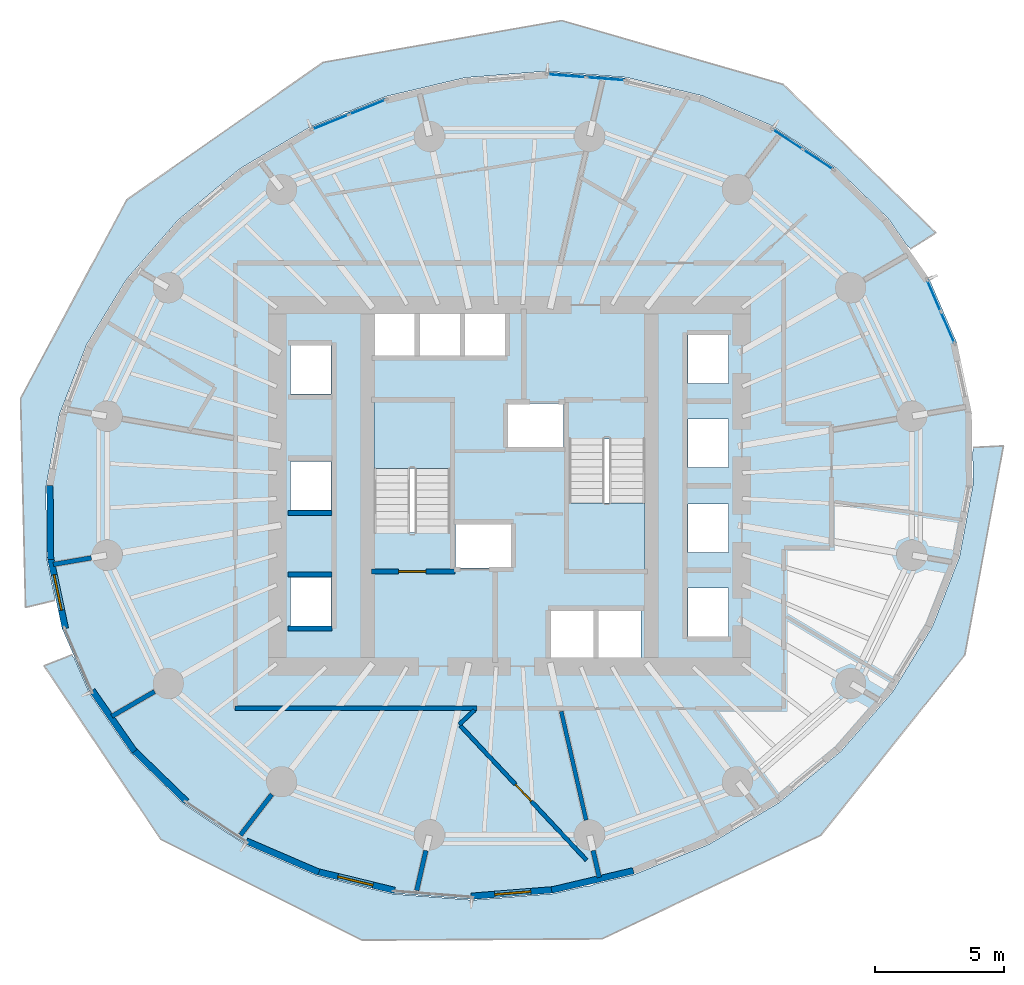
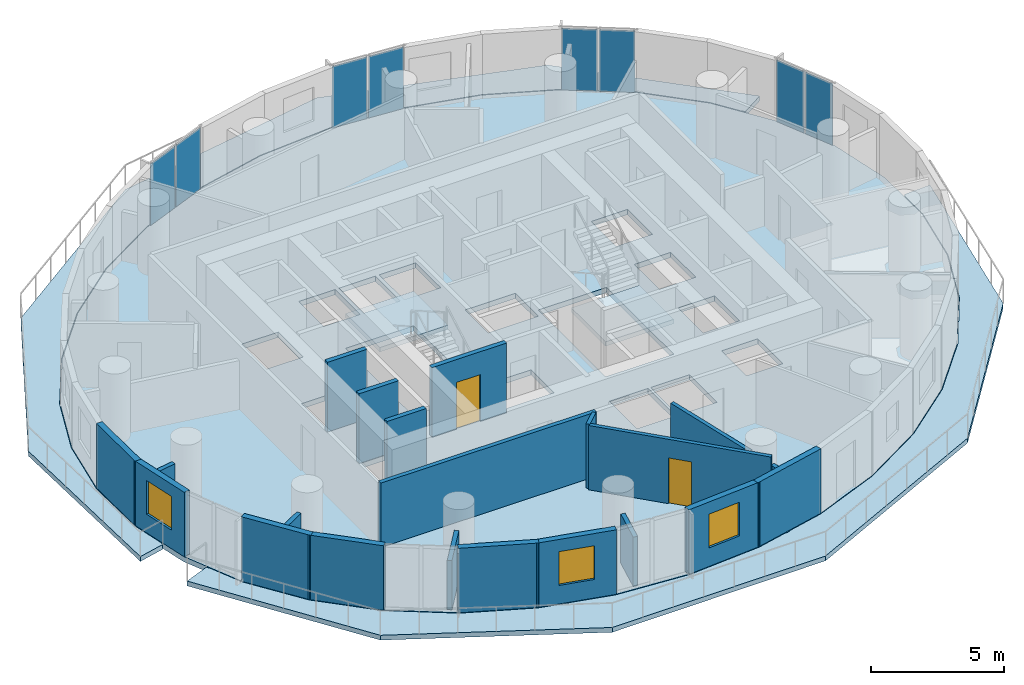
# One storey, part 6 of 14: 21 walls, 8 plates, 5 slabs, 3 windows, 2 doors, 5 openings, 6 elements without a shape of their own.
"""IFC4 building model written with IfcOpenShell, lengths in metres."""

import ifcopenshell
import ifcopenshell.guid

model = None  # the IFC model being written
_history = None  # IfcOwnerHistory: only IFC2X3 demands one
_inside = {}  # id of a spatial element -> (the spatial element, [elements in it])
_under = {}  # id of a project, library or spatial element -> (it, [spatial elements below it])
_declared = {}  # id of a project -> (the project, [libraries it declares])
_typed = {}  # id of a type object -> (the type object, [elements of that type])
_made_of = {}  # id of a material, layer set ... -> (it, [elements and type objects made of it])


def new_model(schema):
    """Start an empty IFC model of exactly this schema.

    Asked for "IFC4X3", IfcOpenShell would pick the latest addendum, in which some entities
    have other attributes; the version numbers below select the first issue.
    IFC2X3 requires an IfcOwnerHistory on every rooted entity: one is made here for all.
    """
    global model, _history
    if schema == "IFC4X3":
        model = ifcopenshell.file(schema_version=(4, 3, 0, 0))
    else:
        model = ifcopenshell.file(schema=schema)
    _inside.clear()
    _under.clear()
    _declared.clear()
    _typed.clear()
    _made_of.clear()
    _history = None
    if model.schema == "IFC2X3":
        org = make("IfcOrganization", Name="unknown")
        user = make(
            "IfcPersonAndOrganization",
            ThePerson=make("IfcPerson", FamilyName="unknown"),
            TheOrganization=org,
        )
        app = make(
            "IfcApplication",
            ApplicationDeveloper=org,
            Version="unknown",
            ApplicationFullName="unknown",
            ApplicationIdentifier="unknown",
        )
        _history = make(
            "IfcOwnerHistory",
            OwningUser=user,
            OwningApplication=app,
            ChangeAction="ADDED",
            CreationDate=0,
        )
    return model


def make(cls, **values):
    """One entity of the class cls with the attributes given. An attribute that is None is left unset."""
    return model.create_entity(
        cls, **{name: value for name, value in values.items() if value is not None}
    )


def rooted(cls, **values):
    """An entity with a GlobalId (a new one), such as an element, a storey or a relation."""
    return make(cls, GlobalId=ifcopenshell.guid.new(), OwnerHistory=_history, **values)


def si_unit(unit_type, name, prefix=None):
    """IfcSIUnit, for example si_unit("LENGTHUNIT", "METRE", prefix="MILLI")."""
    return make("IfcSIUnit", UnitType=unit_type, Prefix=prefix, Name=name)


def assignment(units):
    """IfcUnitAssignment: the units of a project."""
    return None if units is None else make("IfcUnitAssignment", Units=units)


def point(xyz):
    """IfcCartesianPoint."""
    return None if xyz is None else make("IfcCartesianPoint", Coordinates=xyz)


def direction(xyz):
    """IfcDirection."""
    return None if xyz is None else make("IfcDirection", DirectionRatios=xyz)


def frame(location, z_axis=None, x_axis=None):
    """IfcAxis2Placement3D, a coordinate frame: its origin and axes. An axis left out is left unset."""
    return make(
        "IfcAxis2Placement3D",
        Location=point(location),
        Axis=direction(z_axis),
        RefDirection=direction(x_axis),
    )


def frame_2d(location, x_axis=None):
    """IfcAxis2Placement2D, a coordinate frame in the plane: its origin and x axis."""
    return make(
        "IfcAxis2Placement2D", Location=point(location), RefDirection=direction(x_axis)
    )


def origin():
    """The frame at (0, 0, 0) with its axes left unset."""
    return frame((0.0, 0.0, 0.0))


def origin_2d():
    """The frame at (0, 0) in the plane with its x axis left unset."""
    return frame_2d((0.0, 0.0))


def place(relative_to, where):
    """IfcLocalPlacement: puts the frame where relative to a parent placement (None: the world)."""
    return make(
        "IfcLocalPlacement", PlacementRelTo=relative_to, RelativePlacement=where
    )


def context(
    kind, dimensions, precision=None, world=None, true_north=None, identifier=None
):
    """IfcGeometricRepresentationContext, for example the 3D "Model" context."""
    return make(
        "IfcGeometricRepresentationContext",
        ContextIdentifier=identifier,
        ContextType=kind,
        CoordinateSpaceDimension=dimensions,
        Precision=precision,
        WorldCoordinateSystem=world,
        TrueNorth=true_north,
    )


def subcontext(parent, identifier, kind, view, scale=None):
    """IfcGeometricRepresentationSubContext, for example "Body" below "Model"."""
    return make(
        "IfcGeometricRepresentationSubContext",
        ContextIdentifier=identifier,
        ContextType=kind,
        ParentContext=parent,
        TargetScale=scale,
        TargetView=view,
    )


def project(units=None, contexts=None):
    """IfcProject with its units and contexts."""
    return rooted(
        "IfcProject",
        Name="project",
        RepresentationContexts=contexts,
        UnitsInContext=assignment(units),
    )


def spatial(cls, under=None, at=None, **own):
    """A site, building, storey or space (cls), placed at a placement, below another one or the project."""
    s = rooted(cls, ObjectPlacement=at, **own)
    if under is not None:
        _under.setdefault(under.id(), (under, []))[1].append(s)
    return s


def polyline(points):
    """IfcPolyline through the points."""
    return make("IfcPolyline", Points=[point(p) for p in points])


def profile(cls, at=None, kind="AREA", **sizes):
    """A parametric profile (cls). Its sizes go by their IFC names, for example OverallWidth=200.0."""
    return make(cls, ProfileType=kind, Position=at, **sizes)


def rectangle(**sizes):
    """IfcRectangleProfileDef."""
    return profile("IfcRectangleProfileDef", **sizes)


def outline(outer, holes=None, kind="AREA"):
    """IfcArbitraryClosedProfileDef: a profile drawn as a closed curve; with holes, ...WithVoids."""
    if holes is None:
        return make("IfcArbitraryClosedProfileDef", ProfileType=kind, OuterCurve=outer)
    return make(
        "IfcArbitraryProfileDefWithVoids",
        ProfileType=kind,
        OuterCurve=outer,
        InnerCurves=holes,
    )


def extrude(swept, where, along, depth):
    """IfcExtrudedAreaSolid: the profile swept, set in the frame where, extruded along a direction by depth."""
    return make(
        "IfcExtrudedAreaSolid",
        SweptArea=swept,
        Position=where,
        ExtrudedDirection=direction(along),
        Depth=depth,
    )


def shape(context_of_items, identifier, shape_type, items):
    """IfcShapeRepresentation: the items that make up one representation, for example the "Body"."""
    return make(
        "IfcShapeRepresentation",
        ContextOfItems=context_of_items,
        RepresentationIdentifier=identifier,
        RepresentationType=shape_type,
        Items=items,
    )


def material(Name=None, Category=None):
    """IfcMaterial."""
    return make("IfcMaterial", Name=Name, Category=Category)


def layer(
    of_material, thickness, ventilated=None, Name=None, Category=None, Priority=None
):
    """IfcMaterialLayer: one layer of a wall or slab, of a material (None: an air gap)."""
    return make(
        "IfcMaterialLayer",
        Material=of_material,
        LayerThickness=thickness,
        IsVentilated=ventilated,
        Name=Name,
        Category=Category,
        Priority=Priority,
    )


def layer_set(layers, Name=None):
    """IfcMaterialLayerSet."""
    return make("IfcMaterialLayerSet", MaterialLayers=layers, LayerSetName=Name)


def made_of(thing, what):
    """Note that an element or type object is made of a material, layer set ...; save() writes the relation."""
    if what is not None:
        _made_of.setdefault(what.id(), (what, []))[1].append(thing)
    return thing


def type_object(cls, material=None, **own):
    """A type object (cls), such as IfcWallType, which elements share."""
    return made_of(rooted(cls, **own), material)


def element(
    cls,
    number,
    at=None,
    inside=None,
    cuts=None,
    type_object=None,
    material=None,
    context=None,
    identifier="Body",
    shape_type=None,
    held_by="IfcProductDefinitionShape",
    body=None,
    shapes=None,
    **own,
):
    """One element of the class cls, such as IfcWall. Its Tag is "e" and its number.

    at: its placement. inside: the storey or other place that contains it. cuts: it is an
    opening in that element (IfcRelVoidsElement). A single representation is given by context,
    identifier, shape_type and body (its items); several are given by shapes. held_by: the class
    of the entity that holds the representations. save() writes the other relations.
    """
    e = rooted(cls, Tag="e%d" % number, ObjectPlacement=at, **own)
    if body is not None:
        shapes = [shape(context, identifier, shape_type, body)]
    if shapes is not None:
        e.Representation = make(held_by, Representations=shapes)
    if inside is not None:
        _inside.setdefault(inside.id(), (inside, []))[1].append(e)
    if cuts is not None:
        rooted(
            "IfcRelVoidsElement", RelatingBuildingElement=cuts, RelatedOpeningElement=e
        )
    if type_object is not None:
        _typed.setdefault(type_object.id(), (type_object, []))[1].append(e)
    return made_of(e, material)


def fill(opening, filler):
    """IfcRelFillsElement: the door or window that sits in an opening."""
    return rooted(
        "IfcRelFillsElement",
        RelatingOpeningElement=opening,
        RelatedBuildingElement=filler,
    )


def aggregate(whole, parts):
    """IfcRelAggregates: a whole, such as a stair, and the parts it consists of."""
    return rooted("IfcRelAggregates", RelatingObject=whole, RelatedObjects=parts)


def save(model, path):
    """Write the relations noted so far, then the file.

    IfcRelAggregates (storeys below a building ...), IfcRelContainedInSpatialStructure (elements
    in a storey), IfcRelDefinesByType, IfcRelAssociatesMaterial and IfcRelDeclares: one each for
    every whole, place, type object, material and project.
    """
    for whole, parts in _under.values():
        aggregate(whole, parts)
    for where, things in _inside.values():
        rooted(
            "IfcRelContainedInSpatialStructure",
            RelatedElements=things,
            RelatingStructure=where,
        )
    for kind, things in _typed.values():
        rooted("IfcRelDefinesByType", RelatedObjects=things, RelatingType=kind)
    for what, things in _made_of.values():
        rooted("IfcRelAssociatesMaterial", RelatedObjects=things, RelatingMaterial=what)
    for by, libraries in _declared.values():
        rooted("IfcRelDeclares", RelatingContext=by, RelatedDefinitions=libraries)
    model.write(path)


model = new_model("IFC4")

# Units and contexts
model_context = context("Model", 3, precision=1e-05, world=origin(), true_north=direction((0.0, 1.0)))
body_context = subcontext(model_context, "Body", "Model", "MODEL_VIEW")
ifc_project = project(units=[si_unit("LENGTHUNIT", "METRE"), si_unit("AREAUNIT", "SQUARE_METRE"), si_unit("VOLUMEUNIT", "CUBIC_METRE"), si_unit("PLANEANGLEUNIT", "RADIAN"), si_unit("MASSUNIT", "GRAM", prefix="KILO")], contexts=[model_context])

# Site, building, storey
site_placement = place(None, origin())
site = spatial("IfcSite", under=ifc_project, at=site_placement, CompositionType="ELEMENT")
building_placement = place(site_placement, origin())
building = spatial("IfcBuilding", under=site, at=building_placement, Name="Veldorim Arch Residences", CompositionType="ELEMENT")
storey_placement = place(building_placement, frame((0.0, 0.0, 74.080078125)))
storey = spatial("IfcBuildingStorey", under=building, at=storey_placement, Name="L21", CompositionType="ELEMENT", Elevation=74.080078125)

# Slabs
ifc_material_1 = material(Name="Concrete C40/50", Category="concrete")
ifc_layer_1 = layer(ifc_material_1, 0.219970703125, Name="Planted Crescent Cantilever Balcony Slab 220")
ifc_layer_set_1 = layer_set([ifc_layer_1], Name="Concrete C40/50")
slab_type_1 = type_object("IfcSlabType", Name="Planted Crescent Cantilever Balcony Slab 220", PredefinedType="FLOOR", material=ifc_layer_set_1)
slab_1_placement = place(storey_placement, frame((0.0, 0.0, -0.219970703125)))
element("IfcSlab", 1, at=slab_1_placement, inside=storey, type_object=slab_type_1, Name="L21 planted crescent balcony slab A", PredefinedType="FLOOR", context=body_context, shape_type="SweptSolid", body=[
    extrude(outline(polyline([(47.413818359375, 33.292236328125), (46.6796875, 34.348876953125), (44.642333984375, 36.324462890625), (42.220703125, 37.925537109375), (39.489013671875, 39.103271484375), (36.529541015625, 39.822265625), (33.432861328125, 40.060302734375), (30.292724609375, 39.810791015625), (27.204345703125, 39.0810546875), (25.777099609375, 38.5048828125), (25.603271484375, 38.47216796875), (25.46630859375, 38.37939453125), (24.261962890625, 37.89306640625), (21.55419921875, 36.283203125), (19.163818359375, 34.300048828125), (17.163330078125, 32.004150390625), (15.61328125, 29.464599609375), (14.561279296875, 26.759033203125), (14.039306640625, 23.969482421875), (14.06298828125, 21.180419921875), (14.369384765625, 19.72412109375), (14.36279296875, 19.554443359375), (13.2451171875, 19.28369140625), (13.0537109375, 27.373046875), (17.167236328125, 35.07666015625), (24.781494140625, 40.40478515625), (34.025634765625, 42.0234375), (42.614013671875, 39.547119140625), (48.51513671875, 33.797119140625), (47.544677734375, 33.18017578125), (47.413818359375, 33.292236328125)])), origin(), (0.0, 0.0, 1.0), 0.219970703125),
])
slab_2_placement = place(storey_placement, frame((0.0, 0.0, -0.219970703125)))
element("IfcSlab", 2, at=slab_2_placement, inside=storey, type_object=slab_type_1, Name="L21 planted crescent balcony slab B", PredefinedType="FLOOR", context=body_context, shape_type="SweptSolid", body=[
    extrude(outline(polyline([(15.137939453125, 17.307373046875), (15.728759765625, 15.941650390625), (17.3203125, 13.651123046875), (19.357666015625, 11.675537109375), (21.779296875, 10.074462890625), (24.510986328125, 8.896728515625), (27.470458984375, 8.177734375), (30.567138671875, 7.939697265625), (33.707275390625, 8.189208984375), (34.971435546875, 8.488037109375), (35.13671875, 8.4912109375), (35.297607421875, 8.56494140625), (36.795654296875, 8.9189453125), (39.738037109375, 10.10693359375), (42.44580078125, 11.716796875), (44.836181640625, 13.699951171875), (46.836669921875, 15.995849609375), (48.38671875, 18.535400390625), (49.438720703125, 21.240966796875), (49.960693359375, 24.030517578125), (49.949951171875, 25.316650390625), (49.991943359375, 25.48388671875), (51.140380859375, 25.540771484375), (49.64404296875, 17.438720703125), (44.0634765625, 10.456787109375), (35.582275390625, 6.43896484375), (26.2890625, 6.390869140625), (18.4814453125, 10.303466796875), (13.965576171875, 17.017578125), (15.0341796875, 17.442138671875), (15.137939453125, 17.307373046875)])), origin(), (0.0, 0.0, 1.0), 0.219970703125),
])

# Stair, slab
ifc_material_2 = material(Name="Concrete C40/50", Category="concrete")
stair_type = type_object("IfcStairType", Name="Reinforced Concrete Dogleg Exit Staircase", PredefinedType="HALF_TURN_STAIR", material=ifc_material_2)
stair_1_placement = place(storey_placement, origin())
stair_1 = element("IfcStair", 3, at=stair_1_placement, inside=storey, type_object=stair_type, Name="L21 Exit Staircase ST-1", PredefinedType="HALF_TURN_STAIR")
ifc_material_3 = material(Name="Concrete C40/50", Category="concrete")
ifc_layer_2 = layer(ifc_material_3, 0.199951171875, Name="Reinforced Concrete Stair Landing 200")
ifc_layer_set_2 = layer_set([ifc_layer_2], Name="Concrete C40/50")
slab_type_2 = type_object("IfcSlabType", Name="Reinforced Concrete Stair Landing 200", PredefinedType="LANDING", material=ifc_layer_set_2)
slab_3_placement = place(storey_placement, frame((0.0, 0.0, 1.39990234375)))
slab_3 = element("IfcSlab", 4, at=slab_3_placement, type_object=slab_type_2, Name="ST-1 landing 1", PredefinedType="LANDING", context=body_context, shape_type="SweptSolid", body=[
    extrude(outline(polyline([(29.7099609375, 24.669921875), (29.7099609375, 27.25), (26.75, 27.25), (26.75, 24.669921875), (29.7099609375, 24.669921875)])), origin(), (0.0, 0.0, 1.0), 0.199951171875),
])
aggregate(stair_1, [slab_3])

stair_2_placement = place(storey_placement, origin())
stair_2 = element("IfcStair", 5, at=stair_2_placement, inside=storey, type_object=stair_type, Name="L21 Exit Staircase ST-2", PredefinedType="HALF_TURN_STAIR")
slab_4_placement = place(storey_placement, frame((0.0, 0.0, 1.39990234375)))
slab_4 = element("IfcSlab", 6, at=slab_4_placement, type_object=slab_type_2, Name="ST-2 landing 1", PredefinedType="LANDING", context=body_context, shape_type="SweptSolid", body=[
    extrude(outline(polyline([(34.2900390625, 23.330078125), (34.2900390625, 20.75), (37.25, 20.75), (37.25, 23.330078125), (34.2900390625, 23.330078125)])), origin(), (0.0, 0.0, 1.0), 0.199951171875),
])
aggregate(stair_2, [slab_4])

# Slab
ifc_material_4 = material(Name="Concrete C40/50", Category="concrete")
ifc_layer_3 = layer(ifc_material_4, 0.239990234375, Name="Typical Residential Floor Slab 240")
ifc_layer_set_3 = layer_set([ifc_layer_3], Name="Concrete C40/50")
slab_type_3 = type_object("IfcSlabType", Name="Typical Residential Floor Slab 240", PredefinedType="FLOOR", material=ifc_layer_set_3)
slab_5_placement = place(storey_placement, frame((0.0, 0.0, -0.239990234375)))
element("IfcSlab", 7, at=slab_5_placement, inside=storey, type_object=slab_type_3, Name="L21 tower structural floor slab", PredefinedType="FLOOR", context=body_context, shape_type="SweptSolid", body=[
    extrude(outline(polyline([(49.34423828125, 29.51513671875), (48.249267578125, 32.046142578125), (46.66064453125, 34.33251953125), (44.626708984375, 36.304931640625), (42.208740234375, 37.9033203125), (39.48095703125, 39.07958984375), (36.525634765625, 39.79736328125), (33.432861328125, 40.035400390625), (30.296630859375, 39.785888671875), (27.2119140625, 39.05712890625), (24.27294921875, 37.87060546875), (21.568603515625, 36.2626953125), (19.181396484375, 34.2822265625), (17.18359375, 31.9892578125), (15.635986328125, 29.45361328125), (14.58544921875, 26.752197265625), (14.064208984375, 23.96728515625), (14.087890625, 21.18310546875), (14.65576171875, 18.48486328125), (15.750732421875, 15.953857421875), (17.33935546875, 13.66748046875), (19.373291015625, 11.695068359375), (21.791259765625, 10.0966796875), (24.51904296875, 8.92041015625), (27.474365234375, 8.20263671875), (30.567138671875, 7.964599609375), (33.703369140625, 8.214111328125), (36.7880859375, 8.94287109375), (39.72705078125, 10.12939453125), (42.431396484375, 11.7373046875), (44.818603515625, 13.7177734375), (46.81640625, 16.0107421875), (48.364013671875, 18.54638671875), (49.41455078125, 21.247802734375), (49.935791015625, 24.03271484375), (49.912109375, 26.81689453125), (49.34423828125, 29.51513671875)]), holes=[polyline([(23.510009765625, 20.43994140625), (25.090087890625, 20.43994140625), (25.090087890625, 18.56005859375), (23.510009765625, 18.56005859375), (23.510009765625, 20.43994140625)]), polyline([(29.909912109375, 22.544921875), (32.090087890625, 22.544921875), (32.090087890625, 20.81494140625), (29.909912109375, 20.81494140625), (29.909912109375, 22.544921875)]), polyline([(23.510009765625, 24.93994140625), (25.090087890625, 24.93994140625), (25.090087890625, 23.06005859375), (23.510009765625, 23.06005859375), (23.510009765625, 24.93994140625)]), polyline([(26.75, 27.25), (29.7099609375, 27.25), (29.7099609375, 22.195068359375), (26.75, 22.195068359375), (26.75, 27.25)]), polyline([(23.510009765625, 29.43994140625), (25.090087890625, 29.43994140625), (25.090087890625, 27.56005859375), (23.510009765625, 27.56005859375), (23.510009765625, 29.43994140625)]), polyline([(26.760009765625, 30.7900390625), (28.340087890625, 30.7900390625), (28.340087890625, 28.909912109375), (26.760009765625, 28.909912109375), (26.760009765625, 30.7900390625)]), polyline([(28.510009765625, 30.7900390625), (30.090087890625, 30.7900390625), (30.090087890625, 28.909912109375), (28.510009765625, 28.909912109375), (28.510009765625, 30.7900390625)]), polyline([(30.260009765625, 30.7900390625), (31.840087890625, 30.7900390625), (31.840087890625, 28.909912109375), (30.260009765625, 28.909912109375), (30.260009765625, 30.7900390625)]), polyline([(33.610107421875, 19.2900390625), (35.2900390625, 19.2900390625), (35.2900390625, 17.2099609375), (33.610107421875, 17.2099609375), (33.610107421875, 19.2900390625)]), polyline([(35.409912109375, 19.2900390625), (37.090087890625, 19.2900390625), (37.090087890625, 17.2099609375), (35.409912109375, 17.2099609375), (35.409912109375, 19.2900390625)]), polyline([(38.909912109375, 20.0400390625), (40.489990234375, 20.0400390625), (40.489990234375, 18.159912109375), (38.909912109375, 18.159912109375), (38.909912109375, 20.0400390625)]), polyline([(38.909912109375, 23.2900390625), (40.489990234375, 23.2900390625), (40.489990234375, 21.409912109375), (38.909912109375, 21.409912109375), (38.909912109375, 23.2900390625)]), polyline([(34.2900390625, 25.804931640625), (37.25, 25.804931640625), (37.25, 20.75), (34.2900390625, 20.75), (34.2900390625, 25.804931640625)]), polyline([(38.909912109375, 26.590087890625), (40.489990234375, 26.590087890625), (40.489990234375, 24.7099609375), (38.909912109375, 24.7099609375), (38.909912109375, 26.590087890625)]), polyline([(31.909912109375, 27.18505859375), (34.090087890625, 27.18505859375), (34.090087890625, 25.455078125), (31.909912109375, 25.455078125), (31.909912109375, 27.18505859375)]), polyline([(38.909912109375, 29.840087890625), (40.489990234375, 29.840087890625), (40.489990234375, 27.9599609375), (38.909912109375, 27.9599609375), (38.909912109375, 29.840087890625)])]), origin(), (0.0, 0.0, 1.0), 0.239990234375),
])

# Curtain wall, plates
ifc_material_5 = material(Name="Aluminium", Category="aluminium")
curtain_wall_type = type_object("IfcCurtainWallType", Name="Zone 2 Solar-Control Unitised Curtain Wall", PredefinedType="NOTDEFINED", material=ifc_material_5)
curtain_wall_1_placement = place(storey_placement, origin())
curtain_wall_1 = element("IfcCurtainWall", 8, at=curtain_wall_1_placement, inside=storey, type_object=curtain_wall_type, Name="L21 unitised curtain wall bay 01", PredefinedType="NOTDEFINED")
ifc_material_6 = material(Name="Laminated Low-E Glass", Category="glass")
ifc_layer_4 = layer(ifc_material_6, 0.02587890625, Name="Zone 2 Solar-Control Unitised Curtain Wall Glazing Panel 26")
ifc_layer_set_4 = layer_set([ifc_layer_4], Name="Laminated Low-E Glass")
plate_type = type_object("IfcPlateType", Name="Zone 2 Solar-Control Unitised Curtain Wall Glazing Panel 26", PredefinedType="CURTAIN_PANEL", material=ifc_layer_set_4)
plate_1_placement = place(storey_placement, frame((48.44677734375, 31.36279296875, 0.06494140625), z_axis=(0.0, 0.0, 1.0), x_axis=(0.397050688615, -0.917796682643, 0.0)))
plate_1 = element("IfcPlate", 9, at=plate_1_placement, type_object=plate_type, Name="CW-Z2 panel 1.1", PredefinedType="CURTAIN_PANEL", context=body_context, shape_type="SweptSolid", body=[
    extrude(rectangle(XDim=1.28125, YDim=0.02587890625, at=origin_2d()), origin(), (0.0, 0.0, 1.0), 2.830078125),
])
plate_2_placement = place(storey_placement, frame((48.9814453125, 30.127197265625, 0.06494140625), z_axis=(0.0, 0.0, 1.0), x_axis=(0.397050688615, -0.917796682643, 0.0)))
plate_2 = element("IfcPlate", 10, at=plate_2_placement, type_object=plate_type, Name="CW-Z2 panel 2.1", PredefinedType="CURTAIN_PANEL", context=body_context, shape_type="SweptSolid", body=[
    extrude(rectangle(XDim=1.28125, YDim=0.02587890625, at=origin_2d()), origin(), (0.0, 0.0, 1.0), 2.830078125),
])
aggregate(curtain_wall_1, [plate_1, plate_2])

curtain_wall_2_placement = place(storey_placement, origin())
curtain_wall_2 = element("IfcCurtainWall", 11, at=curtain_wall_2_placement, inside=storey, type_object=curtain_wall_type, Name="L21 unitised curtain wall bay 04", PredefinedType="NOTDEFINED")
plate_3_placement = place(storey_placement, frame((42.777099609375, 37.419677734375, 0.06494140625), z_axis=(0.0, 0.0, 1.0), x_axis=(0.834172634224, -0.551503414596, 0.0)))
plate_3 = element("IfcPlate", 12, at=plate_3_placement, type_object=plate_type, Name="CW-Z2 panel 1.1", PredefinedType="CURTAIN_PANEL", context=body_context, shape_type="SweptSolid", body=[
    extrude(rectangle(XDim=1.351806640625, YDim=0.02587890625, at=origin_2d()), origin(), (0.0, 0.0, 1.0), 2.830078125),
])
plate_4_placement = place(storey_placement, frame((43.958984375, 36.638427734375, 0.06494140625), z_axis=(0.0, 0.0, 1.0), x_axis=(0.834172634224, -0.551503414596, 0.0)))
plate_4 = element("IfcPlate", 13, at=plate_4_placement, type_object=plate_type, Name="CW-Z2 panel 2.1", PredefinedType="CURTAIN_PANEL", context=body_context, shape_type="SweptSolid", body=[
    extrude(rectangle(XDim=1.351806640625, YDim=0.02587890625, at=origin_2d()), origin(), (0.0, 0.0, 1.0), 2.830078125),
])
aggregate(curtain_wall_2, [plate_3, plate_4])

curtain_wall_3_placement = place(storey_placement, origin())
curtain_wall_3 = element("IfcCurtainWall", 14, at=curtain_wall_3_placement, inside=storey, type_object=curtain_wall_type, Name="L21 unitised curtain wall bay 07", PredefinedType="NOTDEFINED")
plate_5_placement = place(storey_placement, frame((34.21533203125, 39.884765625, 0.06494140625), z_axis=(0.0, 0.0, 1.0), x_axis=(0.997054485502, -0.076696498885, 0.0)))
plate_5 = element("IfcPlate", 15, at=plate_5_placement, type_object=plate_type, Name="CW-Z2 panel 1.1", PredefinedType="CURTAIN_PANEL", context=body_context, shape_type="SweptSolid", body=[
    extrude(rectangle(XDim=1.453369140625, YDim=0.02587890625, at=origin_2d()), origin(), (0.0, 0.0, 1.0), 2.830078125),
])
plate_6_placement = place(storey_placement, frame((35.729248046875, 39.768310546875, 0.06494140625), z_axis=(0.0, 0.0, 1.0), x_axis=(0.997054485502, -0.076696498885, 0.0)))
plate_6 = element("IfcPlate", 16, at=plate_6_placement, type_object=plate_type, Name="CW-Z2 panel 2.1", PredefinedType="CURTAIN_PANEL", context=body_context, shape_type="SweptSolid", body=[
    extrude(rectangle(XDim=1.453369140625, YDim=0.02587890625, at=origin_2d()), origin(), (0.0, 0.0, 1.0), 2.830078125),
])
aggregate(curtain_wall_3, [plate_5, plate_6])

curtain_wall_4_placement = place(storey_placement, origin())
curtain_wall_4 = element("IfcCurtainWall", 17, at=curtain_wall_4_placement, inside=storey, type_object=curtain_wall_type, Name="L21 unitised curtain wall bay 10", PredefinedType="NOTDEFINED")
plate_7_placement = place(storey_placement, frame((25.056396484375, 38.08984375, 0.06494140625), z_axis=(0.0, 0.0, 1.0), x_axis=(0.927286072366, 0.374353496038, 0.0)))
plate_7 = element("IfcPlate", 18, at=plate_7_placement, type_object=plate_type, Name="CW-Z2 panel 1.1", PredefinedType="CURTAIN_PANEL", context=body_context, shape_type="SweptSolid", body=[
    extrude(rectangle(XDim=1.4873046875, YDim=0.02587890625, at=origin_2d()), origin(), (0.0, 0.0, 1.0), 2.830078125),
])
plate_8_placement = place(storey_placement, frame((26.495849609375, 38.6708984375, 0.06494140625), z_axis=(0.0, 0.0, 1.0), x_axis=(0.927286072366, 0.374353496038, 0.0)))
plate_8 = element("IfcPlate", 19, at=plate_8_placement, type_object=plate_type, Name="CW-Z2 panel 2.1", PredefinedType="CURTAIN_PANEL", context=body_context, shape_type="SweptSolid", body=[
    extrude(rectangle(XDim=1.4873046875, YDim=0.02587890625, at=origin_2d()), origin(), (0.0, 0.0, 1.0), 2.830078125),
])
aggregate(curtain_wall_4, [plate_7, plate_8])

# Walls
ifc_material_7 = material(Name="Lightweight Masonry Block & Gypsum", Category="masonry")
ifc_layer_5 = layer(ifc_material_7, 0.179931640625, Name="Compartment & Corridor Fire-Rated Party Wall 180")
ifc_layer_set_5 = layer_set([ifc_layer_5], Name="Lightweight Masonry Block & Gypsum")
wall_type_1 = type_object("IfcWallType", Name="Compartment & Corridor Fire-Rated Party Wall 180", PredefinedType="PARTITIONING", material=ifc_layer_set_5)
wall_1_placement = place(storey_placement, frame((15.79443359375, 21.202392578125, 0.0), z_axis=(0.0, 0.0, 1.0), x_axis=(-0.985414821555, -0.170169413997, 0.0)))
element("IfcWall", 20, at=wall_1_placement, inside=storey, type_object=wall_type_1, Name="L21 interior wall WL-PIER-L21-09", PredefinedType="PARTITIONING", context=body_context, shape_type="SweptSolid", body=[
    extrude(rectangle(XDim=1.494873046875, YDim=0.179931640625, at=frame_2d((0.74755859375, 0.0))), origin(), (0.0, 0.0, 1.0), 2.260498046875),
])
wall_2_placement = place(storey_placement, frame((18.243408203125, 16.022216796875, 0.0), z_axis=(0.0, 0.0, 1.0), x_axis=(-0.86503562166, -0.501710447628, 0.0)))
element("IfcWall", 21, at=wall_2_placement, inside=storey, type_object=wall_type_1, Name="L21 interior wall WL-PIER-L21-10", PredefinedType="PARTITIONING", context=body_context, shape_type="SweptSolid", body=[
    extrude(rectangle(XDim=1.912353515625, YDim=0.179931640625, at=frame_2d((0.9560546875, 0.0))), origin(), (0.0, 0.0, 1.0), 2.260498046875),
])
wall_3_placement = place(storey_placement, frame((22.7880859375, 12.034423828125, 0.0), z_axis=(0.0, 0.0, 1.0), x_axis=(-0.609995088008, -0.792405194712, 0.0)))
element("IfcWall", 22, at=wall_3_placement, inside=storey, type_object=wall_type_1, Name="L21 interior wall WL-PIER-L21-11", PredefinedType="PARTITIONING", context=body_context, shape_type="SweptSolid", body=[
    extrude(rectangle(XDim=1.991455078125, YDim=0.179931640625, at=frame_2d((0.99560546875, 0.0))), origin(), (0.0, 0.0, 1.0), 2.260498046875),
])
wall_4_placement = place(storey_placement, frame((28.759521484375, 9.86083984375, 0.0), z_axis=(0.0, 0.0, 1.0), x_axis=(-0.223333591652, -0.974742071955, 0.0)))
element("IfcWall", 23, at=wall_4_placement, inside=storey, type_object=wall_type_1, Name="L21 interior wall WL-PIER-L21-12", PredefinedType="PARTITIONING", context=body_context, shape_type="SweptSolid", body=[
    extrude(rectangle(XDim=1.58935546875, YDim=0.179931640625, at=frame_2d((0.794677734375, 0.0))), origin(), (0.0, 0.0, 1.0), 2.260498046875),
])
wall_5_placement = place(storey_placement, frame((35.240478515625, 9.86083984375, 0.0), z_axis=(0.0, 0.0, 1.0), x_axis=(0.223308362472, -0.974747852139, 0.0)))
element("IfcWall", 24, at=wall_5_placement, inside=storey, type_object=wall_type_1, Name="L21 interior wall WL-PIER-L21-13", PredefinedType="PARTITIONING", context=body_context, shape_type="SweptSolid", body=[
    extrude(rectangle(XDim=1.0693359375, YDim=0.179931640625, at=frame_2d((0.53466796875, 0.0))), origin(), (0.0, 0.0, 1.0), 2.260498046875),
])
wall_6_placement = place(storey_placement, frame((30.7373046875, 15.3701171875, 0.0), z_axis=(0.0, 0.0, 1.0), x_axis=(-1.0, 0.0, 0.0)))
element("IfcWall", 25, at=wall_6_placement, inside=storey, type_object=wall_type_1, Name="L21 interior wall WL-RES-L21-010", PredefinedType="PARTITIONING", context=body_context, shape_type="SweptSolid", body=[
    extrude(rectangle(XDim=9.3671875, YDim=0.179931640625, at=frame_2d((4.68359375, 0.0))), origin(), (0.0, 0.0, 1.0), 2.954833984375),
])

# Wall, opening, door
ifc_material_8 = material(Name="Concrete C50/60", Category="concrete")
ifc_layer_6 = layer(ifc_material_8, 0.199951171875, Name="Core Stair & Lift Shaft Enclosure Wall 200")
ifc_layer_set_6 = layer_set([ifc_layer_6], Name="Concrete C50/60")
wall_type_2 = type_object("IfcWallType", Name="Core Stair & Lift Shaft Enclosure Wall 200", PredefinedType="SHEAR", material=ifc_layer_set_6)
wall_7_placement = place(storey_placement, frame((26.64990234375, 20.669921875, 0.0), z_axis=(0.0, 0.0, 1.0), x_axis=(1.0, 0.0, 0.0)))
wall_7 = element("IfcWall", 26, at=wall_7_placement, inside=storey, type_object=wall_type_2, Name="L21 shaft wall WL-SHF-L21-ST1-S", PredefinedType="SHEAR", context=body_context, shape_type="SweptSolid", body=[
    extrude(rectangle(XDim=3.239990234375, YDim=0.199951171875, at=frame_2d((1.6201171875, 0.0))), origin(), (0.0, 0.0, 1.0), 3.199951171875),
])
opening_1_placement = place(wall_7_placement, frame((1.054931640625, 0.0, 0.0)))
opening_1 = element("IfcOpeningElement", 27, at=opening_1_placement, cuts=wall_7, Name="Opening DR-ST", PredefinedType="OPENING", context=body_context, shape_type="SweptSolid", body=[
    extrude(rectangle(XDim=1.050048828125, YDim=2.14990234375, at=frame_2d((0.52490234375, 1.074951171875))), frame((0.0, 0.10986328125, 0.0), z_axis=(0.0, -1.0, 0.0), x_axis=(1.0, 0.0, 0.0)), (0.0, 0.0, 1.0), 0.219970703125),
])
ifc_material_9 = material(Name="Fire-Rated Steel", Category="steel")
door_type_1 = type_object("IfcDoorType", Name="Exit Staircase Self-Closing Fire Door 1050x2150", OperationType="SINGLE_SWING_LEFT", PredefinedType="DOOR", material=ifc_material_9)
door_1_placement = place(opening_1_placement, origin())
door_1 = element("IfcDoor", 28, at=door_1_placement, inside=storey, type_object=door_type_1, Name="L21 interior door DR-L21-ST1", OperationType="SINGLE_SWING_LEFT", OverallHeight=2.14990234375, OverallWidth=1.050048828125, PredefinedType="DOOR", context=body_context, shape_type="SweptSolid", body=[
    extrude(rectangle(XDim=1.050048828125, YDim=2.14990234375, at=frame_2d((0.52490234375, 1.074951171875))), frame((0.0, 0.02490234375, 0.0), z_axis=(0.0, -1.0, 0.0), x_axis=(1.0, 0.0, 0.0)), (0.0, 0.0, 1.0), 0.050048828125),
])
fill(opening_1, door_1)

# Walls
for number, where, z_axis, x_axis, name in (
    (29, (23.419921875, 18.4599609375, 0.0), (0.0, 0.0, 1.0), (1.0, 0.0, 0.0), "L21 shaft wall WL-B2-L21-S"),
    (30, (23.419921875, 20.56005859375, 0.0), (0.0, 0.0, 1.0), (1.0, 0.0, 0.0), "L21 shaft wall WL-B2-L21-D1A"),
    (31, (23.419921875, 22.93994140625, 0.0), (0.0, 0.0, 1.0), (1.0, 0.0, 0.0), "L21 shaft wall WL-B2-L21-D1B"),
):
    element("IfcWall", number, at=place(storey_placement, frame(where, z_axis=z_axis, x_axis=x_axis)), inside=storey, type_object=wall_type_2, Name=name, PredefinedType="SHEAR", context=body_context, shape_type="SweptSolid", body=[
        extrude(rectangle(XDim=1.7099609375, YDim=0.199951171875, at=frame_2d((0.85498046875, 0.0))), origin(), (0.0, 0.0, 1.0), 3.199951171875),
    ])
ifc_material_10 = material(Name="Precast concrete C40/50", Category="concrete")
ifc_layer_7 = layer(ifc_material_10, 0.25, Name="Tower Terracotta Spandrel & Pier Wall 250")
ifc_layer_set_7 = layer_set([ifc_layer_7], Name="Precast concrete C40/50")
wall_type_3 = type_object("IfcWallType", Name="Tower Terracotta Spandrel & Pier Wall 250", PredefinedType="SOLIDWALL", material=ifc_layer_set_7)
wall_8_placement = place(storey_placement, frame((14.21337890625, 21.139404296875, 0.0), z_axis=(0.0, 0.0, 1.0), x_axis=(-0.008580093639, 0.999963190319, 0.0)))
element("IfcWall", 32, at=wall_8_placement, inside=storey, type_object=wall_type_3, Name="L21 terracotta facade wall 17", PredefinedType="SOLIDWALL", context=body_context, shape_type="SweptSolid", body=[
    extrude(rectangle(XDim=2.873779296875, YDim=0.25, at=frame_2d((1.43701171875, 0.0))), origin(), (0.0, 0.0, 1.0), 2.9599609375),
])

# Wall, opening, window
wall_9_placement = place(storey_placement, frame((14.787353515625, 18.466552734375, 0.0), z_axis=(0.0, 0.0, 1.0), x_axis=(-0.205949984324, 0.978562519187, 0.0)))
wall_9 = element("IfcWall", 33, at=wall_9_placement, inside=storey, type_object=wall_type_3, Name="L21 terracotta facade wall 18", PredefinedType="SOLIDWALL", context=body_context, shape_type="SweptSolid", body=[
    extrude(rectangle(XDim=2.847412109375, YDim=0.25, at=frame_2d((1.423828125, 0.0))), origin(), (0.0, 0.0, 1.0), 2.9599609375),
])
opening_2_placement = place(wall_9_placement, frame((0.72412109375, 0.0, 0.85009765625)))
opening_2 = element("IfcOpeningElement", 34, at=opening_2_placement, cuts=wall_9, Name="Opening WN-02", PredefinedType="OPENING", context=body_context, shape_type="SweptSolid", body=[
    extrude(rectangle(XDim=1.39990234375, YDim=1.550048828125, at=frame_2d((0.699951171875, 0.77490234375))), frame((0.0, 0.135009765625, 0.0), z_axis=(0.0, -1.0, 0.0), x_axis=(1.0, 0.0, 0.0)), (0.0, 0.0, 1.0), 0.27001953125),
])
ifc_material_11 = material(Name="Laminated Low-E Glass", Category="glass")
window_type = type_object("IfcWindowType", Name="Residential Casement Window 1400x1550", PartitioningType="SINGLE_PANEL", PredefinedType="WINDOW", material=ifc_material_11)
window_1_placement = place(opening_2_placement, origin())
window_1 = element("IfcWindow", 35, at=window_1_placement, inside=storey, type_object=window_type, Name="L21 solar-control facade window 18", OverallHeight=1.550048828125, OverallWidth=1.39990234375, PartitioningType="SINGLE_PANEL", PredefinedType="WINDOW", context=body_context, shape_type="SweptSolid", body=[
    extrude(rectangle(XDim=1.39990234375, YDim=1.550048828125, at=frame_2d((0.699951171875, 0.77490234375))), frame((0.0, 0.030029296875, 0.0), z_axis=(0.0, -1.0, 0.0), x_axis=(1.0, 0.0, 0.0)), (0.0, 0.0, 1.0), 0.06005859375),
])
fill(opening_2, window_1)

# Walls
wall_10_placement = place(storey_placement, frame((17.467529296875, 13.701904296875, 0.0), z_axis=(0.0, 0.0, 1.0), x_axis=(-0.570574087236, 0.821246133005, 0.0)))
element("IfcWall", 36, at=wall_10_placement, inside=storey, type_object=wall_type_3, Name="L21 terracotta facade wall 20", PredefinedType="SOLIDWALL", context=body_context, shape_type="SweptSolid", body=[
    extrude(rectangle(XDim=2.8740234375, YDim=0.25, at=frame_2d((1.43701171875, 0.0))), origin(), (0.0, 0.0, 1.0), 2.9599609375),
])
wall_11_placement = place(storey_placement, frame((19.49267578125, 11.75341796875, 0.0), z_axis=(0.0, 0.0, 1.0), x_axis=(-0.717880157086, 0.696166704219, 0.0)))
element("IfcWall", 37, at=wall_11_placement, inside=storey, type_object=wall_type_3, Name="L21 terracotta facade wall 21", PredefinedType="SOLIDWALL", context=body_context, shape_type="SweptSolid", body=[
    extrude(rectangle(XDim=2.92333984375, YDim=0.25, at=frame_2d((1.461669921875, 0.0))), origin(), (0.0, 0.0, 1.0), 2.9599609375),
])
wall_12_placement = place(storey_placement, frame((24.60986328125, 9.017578125, 0.0), z_axis=(0.0, 0.0, 1.0), x_axis=(-0.91829708806, 0.395891977766, 0.0)))
element("IfcWall", 38, at=wall_12_placement, inside=storey, type_object=wall_type_3, Name="L21 terracotta facade wall 23", PredefinedType="SOLIDWALL", context=body_context, shape_type="SweptSolid", body=[
    extrude(rectangle(XDim=3.060546875, YDim=0.25, at=frame_2d((1.5302734375, 0.0))), origin(), (0.0, 0.0, 1.0), 2.9599609375),
])

# Wall, opening, window
wall_13_placement = place(storey_placement, frame((27.547607421875, 8.3134765625, 0.0), z_axis=(0.0, 0.0, 1.0), x_axis=(-0.971748850292, 0.236017312833, 0.0)))
wall_13 = element("IfcWall", 39, at=wall_13_placement, inside=storey, type_object=wall_type_3, Name="L21 terracotta facade wall 24", PredefinedType="SOLIDWALL", context=body_context, shape_type="SweptSolid", body=[
    extrude(rectangle(XDim=3.131103515625, YDim=0.25, at=frame_2d((1.5654296875, 0.0))), origin(), (0.0, 0.0, 1.0), 2.9599609375),
])
opening_3_placement = place(wall_13_placement, frame((0.865966796875, 0.0, 0.85009765625)))
opening_3 = element("IfcOpeningElement", 40, at=opening_3_placement, cuts=wall_13, Name="Opening WN-02", PredefinedType="OPENING", context=body_context, shape_type="SweptSolid", body=[
    extrude(rectangle(XDim=1.39990234375, YDim=1.550048828125, at=frame_2d((0.699951171875, 0.77490234375))), frame((0.0, 0.135009765625, 0.0), z_axis=(0.0, -1.0, 0.0), x_axis=(1.0, 0.0, 0.0)), (0.0, 0.0, 1.0), 0.27001953125),
])
window_2_placement = place(opening_3_placement, origin())
window_2 = element("IfcWindow", 41, at=window_2_placement, inside=storey, type_object=window_type, Name="L21 solar-control facade window 24", OverallHeight=1.550048828125, OverallWidth=1.39990234375, PartitioningType="SINGLE_PANEL", PredefinedType="WINDOW", context=body_context, shape_type="SweptSolid", body=[
    extrude(rectangle(XDim=1.39990234375, YDim=1.550048828125, at=frame_2d((0.699951171875, 0.77490234375))), frame((0.0, 0.030029296875, 0.0), z_axis=(0.0, -1.0, 0.0), x_axis=(1.0, 0.0, 0.0)), (0.0, 0.0, 1.0), 0.06005859375),
])
fill(opening_3, window_2)

wall_14_placement = place(storey_placement, frame((33.73828125, 8.34228515625, 0.0), z_axis=(0.0, 0.0, 1.0), x_axis=(-0.996851873062, -0.079286462736, 0.0)))
wall_14 = element("IfcWall", 42, at=wall_14_placement, inside=storey, type_object=wall_type_3, Name="L21 terracotta facade wall 26", PredefinedType="SOLIDWALL", context=body_context, shape_type="SweptSolid", body=[
    extrude(rectangle(XDim=3.236328125, YDim=0.25, at=frame_2d((1.6181640625, 0.0))), origin(), (0.0, 0.0, 1.0), 2.9599609375),
])
opening_4_placement = place(wall_14_placement, frame((0.91796875, 0.0, 0.85009765625)))
opening_4 = element("IfcOpeningElement", 43, at=opening_4_placement, cuts=wall_14, Name="Opening WN-02", PredefinedType="OPENING", context=body_context, shape_type="SweptSolid", body=[
    extrude(rectangle(XDim=1.39990234375, YDim=1.550048828125, at=frame_2d((0.699951171875, 0.77490234375))), frame((0.0, 0.135009765625, 0.0), z_axis=(0.0, -1.0, 0.0), x_axis=(1.0, 0.0, 0.0)), (0.0, 0.0, 1.0), 0.27001953125),
])
window_3_placement = place(opening_4_placement, origin())
window_3 = element("IfcWindow", 44, at=window_3_placement, inside=storey, type_object=window_type, Name="L21 solar-control facade window 26", OverallHeight=1.550048828125, OverallWidth=1.39990234375, PartitioningType="SINGLE_PANEL", PredefinedType="WINDOW", context=body_context, shape_type="SweptSolid", body=[
    extrude(rectangle(XDim=1.39990234375, YDim=1.550048828125, at=frame_2d((0.699951171875, 0.77490234375))), frame((0.0, 0.030029296875, 0.0), z_axis=(0.0, -1.0, 0.0), x_axis=(1.0, 0.0, 0.0)), (0.0, 0.0, 1.0), 0.06005859375),
])
fill(opening_4, window_3)

# Walls
wall_15_placement = place(storey_placement, frame((36.802978515625, 9.074951171875, 0.0), z_axis=(0.0, 0.0, 1.0), x_axis=(-0.973185832187, -0.230020294824, 0.0)))
element("IfcWall", 45, at=wall_15_placement, inside=storey, type_object=wall_type_3, Name="L21 terracotta facade wall 27", PredefinedType="SOLIDWALL", context=body_context, shape_type="SweptSolid", body=[
    extrude(rectangle(XDim=3.259521484375, YDim=0.25, at=frame_2d((1.6298828125, 0.0))), origin(), (0.0, 0.0, 1.0), 2.9599609375),
])
ifc_material_12 = material(Name="Moisture-Resistant Gypsum & Stud", Category="gypsum")
ifc_layer_8 = layer(ifc_material_12, 0.159912109375, Name="Wet-Area Moisture-Resistant Plumbing Wall 160")
ifc_layer_set_8 = layer_set([ifc_layer_8], Name="Moisture-Resistant Gypsum & Stud")
wall_type_4 = type_object("IfcWallType", Name="Wet-Area Moisture-Resistant Plumbing Wall 160", PredefinedType="PLUMBINGWALL", material=ifc_layer_set_8)
wall_16_placement = place(storey_placement, frame((34.969970703125, 11.04052734375, 0.0), z_axis=(0.0, 0.0, 1.0), x_axis=(-0.223373919899, 0.974732831041, 0.0)))
element("IfcWall", 46, at=wall_16_placement, inside=storey, type_object=wall_type_4, Name="L21 interior wall WL-RES-L21-016", PredefinedType="PLUMBINGWALL", context=body_context, shape_type="SweptSolid", body=[
    extrude(rectangle(XDim=4.321533203125, YDim=0.159912109375, at=frame_2d((2.16064453125, 0.0))), origin(), (0.0, 0.0, 1.0), 2.260498046875),
])
wall_17_placement = place(storey_placement, frame((30.644287109375, 15.301513671875, 0.0), z_axis=(0.0, 0.0, 1.0), x_axis=(-0.729106643291, -0.684400104258, 0.0)))
element("IfcWall", 47, at=wall_17_placement, inside=storey, type_object=wall_type_4, Name="L21 interior wall WL-RES-L21-028", PredefinedType="PLUMBINGWALL", context=body_context, shape_type="SweptSolid", body=[
    extrude(rectangle(XDim=0.813720703125, YDim=0.159912109375, at=frame_2d((0.40673828125, 0.0))), origin(), (0.0, 0.0, 1.0), 2.954833984375),
])

# Wall, opening, door
wall_18_placement = place(storey_placement, frame((30.092041015625, 14.700927734375, 0.0), z_axis=(0.0, 0.0, 1.0), x_axis=(0.684298573407, -0.729201935292, 0.0)))
wall_18 = element("IfcWall", 48, at=wall_18_placement, inside=storey, type_object=wall_type_4, Name="L21 interior wall WL-RES-L21-029", PredefinedType="PLUMBINGWALL", context=body_context, shape_type="SweptSolid", body=[
    extrude(rectangle(XDim=7.155029296875, YDim=0.159912109375, at=frame_2d((3.57763671875, 0.0))), origin(), (0.0, 0.0, 1.0), 2.954833984375),
])
opening_5_placement = place(wall_18_placement, frame((3.127685546875, 0.0, 0.0)))
opening_5 = element("IfcOpeningElement", 49, at=opening_5_placement, cuts=wall_18, Name="Opening DR-WC", PredefinedType="OPENING", context=body_context, shape_type="SweptSolid", body=[
    extrude(rectangle(XDim=0.89990234375, YDim=2.10009765625, at=frame_2d((0.449951171875, 1.050048828125))), frame((0.0, 0.08984375, 0.0), z_axis=(0.0, -1.0, 0.0), x_axis=(1.0, 0.0, 0.0)), (0.0, 0.0, 1.0), 0.179931640625),
])
ifc_material_13 = material(Name="Laminate Timber", Category="wood")
door_type_2 = type_object("IfcDoorType", Name="Bathroom & Accessible WC Moisture-Sealed Door 900x2100", OperationType="SINGLE_SWING_LEFT", PredefinedType="DOOR", material=ifc_material_13)
door_2_placement = place(opening_5_placement, origin())
door_2 = element("IfcDoor", 50, at=door_2_placement, inside=storey, type_object=door_type_2, Name="L21 interior door DR-RES-L21-016", OperationType="SINGLE_SWING_RIGHT", OverallHeight=2.10009765625, OverallWidth=0.89990234375, PredefinedType="DOOR", context=body_context, shape_type="SweptSolid", body=[
    extrude(rectangle(XDim=0.89990234375, YDim=2.10009765625, at=frame_2d((0.449951171875, 1.050048828125))), frame((0.0, 0.02490234375, 0.0), z_axis=(0.0, -1.0, 0.0), x_axis=(1.0, 0.0, 0.0)), (0.0, 0.0, 1.0), 0.050048828125),
])
fill(opening_5, door_2)

save(model, "model.ifc")
